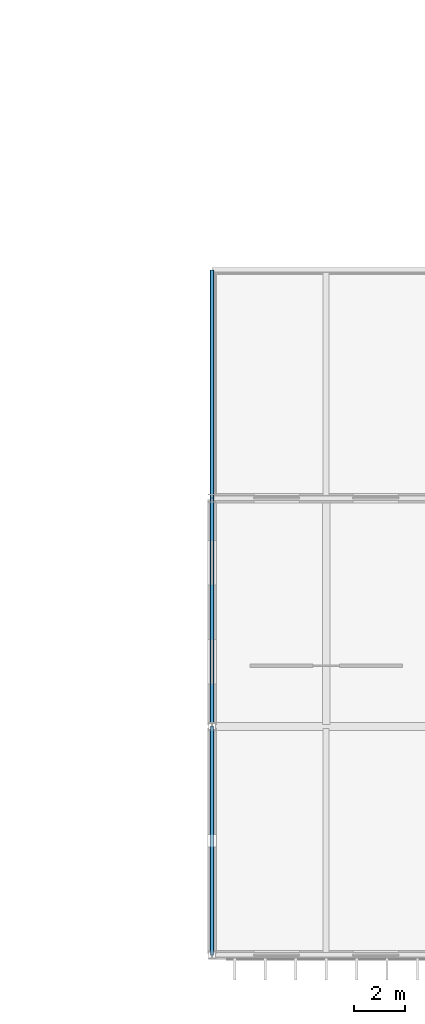
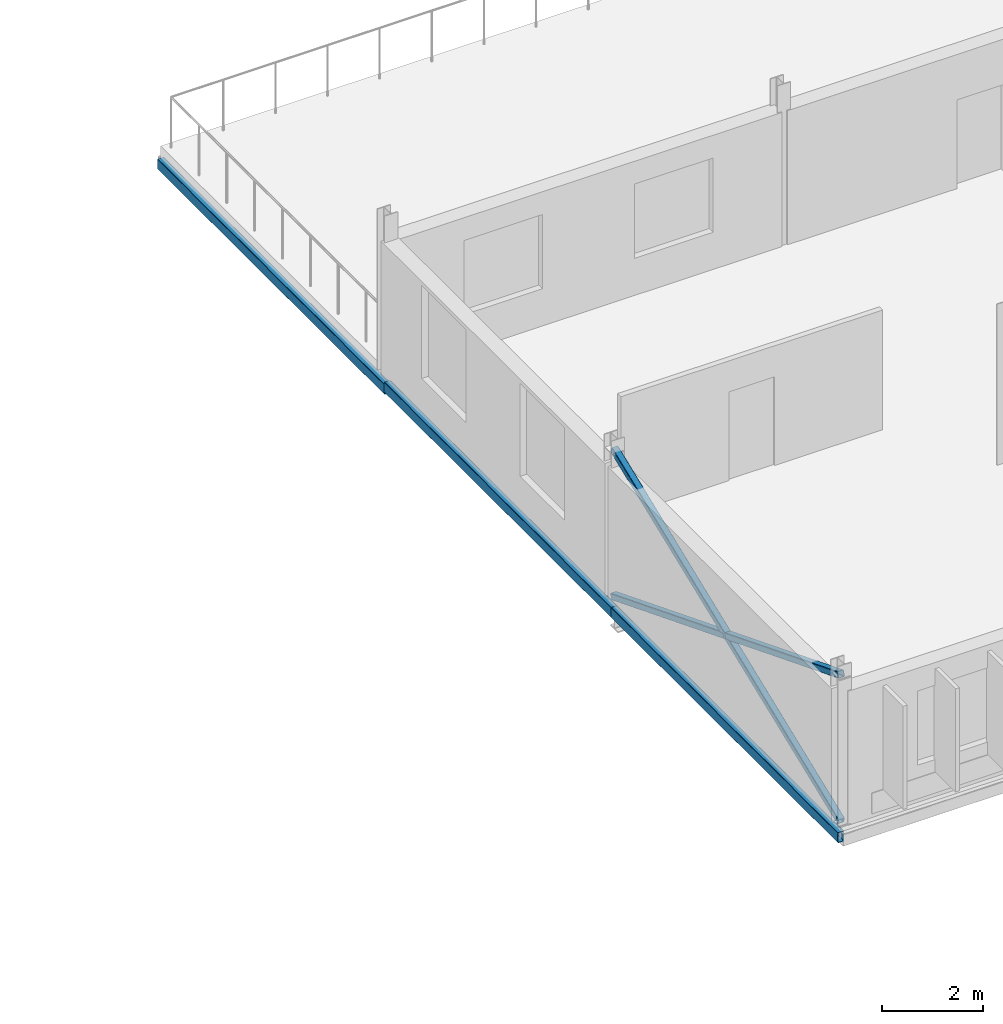
# One storey, part 32 of 123: 3 beams, 3 members.
"""IFC4 building model written with IfcOpenShell, lengths in metres."""

import ifcopenshell
import ifcopenshell.guid

model = None  # the IFC model being written
_history = None  # IfcOwnerHistory: only IFC2X3 demands one
_inside = {}  # id of a spatial element -> (the spatial element, [elements in it])
_under = {}  # id of a project, library or spatial element -> (it, [spatial elements below it])
_declared = {}  # id of a project -> (the project, [libraries it declares])
_typed = {}  # id of a type object -> (the type object, [elements of that type])
_made_of = {}  # id of a material, layer set ... -> (it, [elements and type objects made of it])


def new_model(schema):
    """Start an empty IFC model of exactly this schema.

    Asked for "IFC4X3", IfcOpenShell would pick the latest addendum, in which some entities
    have other attributes; the version numbers below select the first issue.
    IFC2X3 requires an IfcOwnerHistory on every rooted entity: one is made here for all.
    """
    global model, _history
    if schema == "IFC4X3":
        model = ifcopenshell.file(schema_version=(4, 3, 0, 0))
    else:
        model = ifcopenshell.file(schema=schema)
    _inside.clear()
    _under.clear()
    _declared.clear()
    _typed.clear()
    _made_of.clear()
    _history = None
    if model.schema == "IFC2X3":
        org = make("IfcOrganization", Name="unknown")
        user = make(
            "IfcPersonAndOrganization",
            ThePerson=make("IfcPerson", FamilyName="unknown"),
            TheOrganization=org,
        )
        app = make(
            "IfcApplication",
            ApplicationDeveloper=org,
            Version="unknown",
            ApplicationFullName="unknown",
            ApplicationIdentifier="unknown",
        )
        _history = make(
            "IfcOwnerHistory",
            OwningUser=user,
            OwningApplication=app,
            ChangeAction="ADDED",
            CreationDate=0,
        )
    return model


def make(cls, **values):
    """One entity of the class cls with the attributes given. An attribute that is None is left unset."""
    return model.create_entity(
        cls, **{name: value for name, value in values.items() if value is not None}
    )


def rooted(cls, **values):
    """An entity with a GlobalId (a new one), such as an element, a storey or a relation."""
    return make(cls, GlobalId=ifcopenshell.guid.new(), OwnerHistory=_history, **values)


def si_unit(unit_type, name, prefix=None):
    """IfcSIUnit, for example si_unit("LENGTHUNIT", "METRE", prefix="MILLI")."""
    return make("IfcSIUnit", UnitType=unit_type, Prefix=prefix, Name=name)


def assignment(units):
    """IfcUnitAssignment: the units of a project."""
    return None if units is None else make("IfcUnitAssignment", Units=units)


def point(xyz):
    """IfcCartesianPoint."""
    return None if xyz is None else make("IfcCartesianPoint", Coordinates=xyz)


def direction(xyz):
    """IfcDirection."""
    return None if xyz is None else make("IfcDirection", DirectionRatios=xyz)


def frame(location, z_axis=None, x_axis=None):
    """IfcAxis2Placement3D, a coordinate frame: its origin and axes. An axis left out is left unset."""
    return make(
        "IfcAxis2Placement3D",
        Location=point(location),
        Axis=direction(z_axis),
        RefDirection=direction(x_axis),
    )


def frame_2d(location, x_axis=None):
    """IfcAxis2Placement2D, a coordinate frame in the plane: its origin and x axis."""
    return make(
        "IfcAxis2Placement2D", Location=point(location), RefDirection=direction(x_axis)
    )


def origin():
    """The frame at (0, 0, 0) with its axes left unset."""
    return frame((0.0, 0.0, 0.0))


def origin_2d():
    """The frame at (0, 0) in the plane with its x axis left unset."""
    return frame_2d((0.0, 0.0))


def place(relative_to, where):
    """IfcLocalPlacement: puts the frame where relative to a parent placement (None: the world)."""
    return make(
        "IfcLocalPlacement", PlacementRelTo=relative_to, RelativePlacement=where
    )


def context(
    kind, dimensions, precision=None, world=None, true_north=None, identifier=None
):
    """IfcGeometricRepresentationContext, for example the 3D "Model" context."""
    return make(
        "IfcGeometricRepresentationContext",
        ContextIdentifier=identifier,
        ContextType=kind,
        CoordinateSpaceDimension=dimensions,
        Precision=precision,
        WorldCoordinateSystem=world,
        TrueNorth=true_north,
    )


def subcontext(parent, identifier, kind, view, scale=None):
    """IfcGeometricRepresentationSubContext, for example "Body" below "Model"."""
    return make(
        "IfcGeometricRepresentationSubContext",
        ContextIdentifier=identifier,
        ContextType=kind,
        ParentContext=parent,
        TargetScale=scale,
        TargetView=view,
    )


def project(units=None, contexts=None):
    """IfcProject with its units and contexts."""
    return rooted(
        "IfcProject",
        Name="project",
        RepresentationContexts=contexts,
        UnitsInContext=assignment(units),
    )


def spatial(cls, under=None, at=None, **own):
    """A site, building, storey or space (cls), placed at a placement, below another one or the project."""
    s = rooted(cls, ObjectPlacement=at, **own)
    if under is not None:
        _under.setdefault(under.id(), (under, []))[1].append(s)
    return s


def profile(cls, at=None, kind="AREA", **sizes):
    """A parametric profile (cls). Its sizes go by their IFC names, for example OverallWidth=200.0."""
    return make(cls, ProfileType=kind, Position=at, **sizes)


def hollow_rectangle(**sizes):
    """IfcRectangleHollowProfileDef."""
    return profile("IfcRectangleHollowProfileDef", **sizes)


def extrude(swept, where, along, depth):
    """IfcExtrudedAreaSolid: the profile swept, set in the frame where, extruded along a direction by depth."""
    return make(
        "IfcExtrudedAreaSolid",
        SweptArea=swept,
        Position=where,
        ExtrudedDirection=direction(along),
        Depth=depth,
    )


def shape(context_of_items, identifier, shape_type, items):
    """IfcShapeRepresentation: the items that make up one representation, for example the "Body"."""
    return make(
        "IfcShapeRepresentation",
        ContextOfItems=context_of_items,
        RepresentationIdentifier=identifier,
        RepresentationType=shape_type,
        Items=items,
    )


def material(Name=None, Category=None):
    """IfcMaterial."""
    return make("IfcMaterial", Name=Name, Category=Category)


def material_profile(
    of_material, cross_section, Name=None, Category=None, Priority=None
):
    """IfcMaterialProfile: a cross section and its material."""
    return make(
        "IfcMaterialProfile",
        Name=Name,
        Material=of_material,
        Profile=cross_section,
        Priority=Priority,
        Category=Category,
    )


def profile_set(profiles, Name=None, composite=None):
    """IfcMaterialProfileSet."""
    return make(
        "IfcMaterialProfileSet",
        Name=Name,
        MaterialProfiles=profiles,
        CompositeProfile=composite,
    )


def made_of(thing, what):
    """Note that an element or type object is made of a material, layer set ...; save() writes the relation."""
    if what is not None:
        _made_of.setdefault(what.id(), (what, []))[1].append(thing)
    return thing


def type_object(cls, material=None, **own):
    """A type object (cls), such as IfcWallType, which elements share."""
    return made_of(rooted(cls, **own), material)


def element(
    cls,
    number,
    at=None,
    inside=None,
    cuts=None,
    type_object=None,
    material=None,
    context=None,
    identifier="Body",
    shape_type=None,
    held_by="IfcProductDefinitionShape",
    body=None,
    shapes=None,
    **own,
):
    """One element of the class cls, such as IfcWall. Its Tag is "e" and its number.

    at: its placement. inside: the storey or other place that contains it. cuts: it is an
    opening in that element (IfcRelVoidsElement). A single representation is given by context,
    identifier, shape_type and body (its items); several are given by shapes. held_by: the class
    of the entity that holds the representations. save() writes the other relations.
    """
    e = rooted(cls, Tag="e%d" % number, ObjectPlacement=at, **own)
    if body is not None:
        shapes = [shape(context, identifier, shape_type, body)]
    if shapes is not None:
        e.Representation = make(held_by, Representations=shapes)
    if inside is not None:
        _inside.setdefault(inside.id(), (inside, []))[1].append(e)
    if cuts is not None:
        rooted(
            "IfcRelVoidsElement", RelatingBuildingElement=cuts, RelatedOpeningElement=e
        )
    if type_object is not None:
        _typed.setdefault(type_object.id(), (type_object, []))[1].append(e)
    return made_of(e, material)


def aggregate(whole, parts):
    """IfcRelAggregates: a whole, such as a stair, and the parts it consists of."""
    return rooted("IfcRelAggregates", RelatingObject=whole, RelatedObjects=parts)


def save(model, path):
    """Write the relations noted so far, then the file.

    IfcRelAggregates (storeys below a building ...), IfcRelContainedInSpatialStructure (elements
    in a storey), IfcRelDefinesByType, IfcRelAssociatesMaterial and IfcRelDeclares: one each for
    every whole, place, type object, material and project.
    """
    for whole, parts in _under.values():
        aggregate(whole, parts)
    for where, things in _inside.values():
        rooted(
            "IfcRelContainedInSpatialStructure",
            RelatedElements=things,
            RelatingStructure=where,
        )
    for kind, things in _typed.values():
        rooted("IfcRelDefinesByType", RelatedObjects=things, RelatingType=kind)
    for what, things in _made_of.values():
        rooted("IfcRelAssociatesMaterial", RelatedObjects=things, RelatingMaterial=what)
    for by, libraries in _declared.values():
        rooted("IfcRelDeclares", RelatingContext=by, RelatedDefinitions=libraries)
    model.write(path)


model = new_model("IFC4")

# Units and contexts
model_context = context("Model", 3, precision=1e-05, world=origin(), true_north=direction((0.0, 1.0)))
body_context = subcontext(model_context, "Body", "Model", "MODEL_VIEW")
ifc_project = project(units=[si_unit("LENGTHUNIT", "METRE"), si_unit("AREAUNIT", "SQUARE_METRE"), si_unit("VOLUMEUNIT", "CUBIC_METRE"), si_unit("PLANEANGLEUNIT", "RADIAN"), si_unit("MASSUNIT", "GRAM", prefix="KILO")], contexts=[model_context])

# Site, building, storey
site_placement = place(None, origin())
site = spatial("IfcSite", under=ifc_project, at=site_placement, CompositionType="ELEMENT")
building_placement = place(site_placement, origin())
building = spatial("IfcBuilding", under=site, at=building_placement, Name="Kildeholm Park Wholesale Market", CompositionType="ELEMENT")
storey_placement = place(building_placement, frame((0.0, 0.0, 9.60009765625)))
storey = spatial("IfcBuildingStorey", under=building, at=storey_placement, Name="L02", CompositionType="ELEMENT", Elevation=9.60009765625)

# Beams
ifc_material = material(Name="Steel S355", Category="steel")
ifc_material_profile_1 = material_profile(ifc_material, hollow_rectangle(XDim=0.14990234375, YDim=0.25, WallThickness=0.010009765625, InnerFilletRadius=0.010009765625, OuterFilletRadius=0.02001953125, at=origin_2d()), Name="RHS 250x150x10")
ifc_profile_set_1 = profile_set([ifc_material_profile_1], Name="Steel S355")
beam_type = type_object("IfcBeamType", Name="Beam SP-02 RHS 250x150x10", PredefinedType="SPANDREL", material=ifc_profile_set_1)
for number, where, z_axis, x_axis, name in (
    (1, (126.0, 18.0, -0.4150390625), (0.0, 1.0, 0.0), (-1.0, 0.0, 0.0), "Beam BM-V5E-L02-Y-126-018 BM-1602"),
    (2, (126.0, 0.0, -0.364990234375), (0.0, 1.0, 0.0), (-1.0, 0.0, 0.0), "Beam BM-V5E-L02-Y-126-000 BM-1635"),
    (3, (126.0, 9.0, -0.364990234375), (0.0, 1.0, 0.0), (-1.0, 0.0, 0.0), "Beam BM-V5E-L02-Y-126-009 BM-1638"),
):
    element("IfcBeam", number, at=place(storey_placement, frame(where, z_axis=z_axis, x_axis=x_axis)), inside=storey, type_object=beam_type, Name=name, PredefinedType="SPANDREL", context=body_context, shape_type="SweptSolid", body=[
        extrude(hollow_rectangle(XDim=0.14990234375, YDim=0.25, WallThickness=0.010009765625, InnerFilletRadius=0.010009765625, OuterFilletRadius=0.02001953125, at=origin_2d()), origin(), (0.0, 0.0, 1.0), 9.0),
    ])

# Members
ifc_material_profile_2 = material_profile(ifc_material, hollow_rectangle(XDim=0.14990234375, YDim=0.14990234375, WallThickness=0.010009765625, InnerFilletRadius=0.010009765625, OuterFilletRadius=0.02001953125, at=origin_2d()), Name="SHS 150x150x10")
ifc_profile_set_2 = profile_set([ifc_material_profile_2], Name="Steel S355")
member_type = type_object("IfcMemberType", Name="Member TB-03 SHS 150x150x10", PredefinedType="BRACE", material=ifc_profile_set_2)
member_placement = place(storey_placement, frame((126.0, 0.0, 0.02001953125), z_axis=(0.0, 0.929901538652, 0.367808548586), x_axis=(-1.0, 0.0, 0.0)))
element("IfcMember", 4, at=member_placement, inside=storey, type_object=member_type, Name="Member BR-V5E-L02-1 MEM-0372", PredefinedType="BRACE", context=body_context, shape_type="SweptSolid", body=[
    extrude(hollow_rectangle(XDim=0.14990234375, YDim=0.14990234375, WallThickness=0.010009765625, InnerFilletRadius=0.010009765625, OuterFilletRadius=0.02001953125, at=origin_2d()), origin(), (0.0, 0.0, 1.0), 9.678466796875),
])
for number, where, z_axis, x_axis, name in (
    (5, (126.0, 9.0, 0.02001953125), (0.0, -0.929908127292, 0.367791890608), (1.0, 0.0, 0.0), "Member BR-V5E-L02-2A MEM-0373"),
    (6, (126.0, 4.462890625, 1.814697265625), (0.0, -0.929908127292, 0.367791890608), (1.0, 0.0, 0.0), "Member BR-V5E-L02-2B MEM-0374"),
):
    element("IfcMember", number, at=place(storey_placement, frame(where, z_axis=z_axis, x_axis=x_axis)), inside=storey, type_object=member_type, Name=name, PredefinedType="BRACE", context=body_context, shape_type="SweptSolid", body=[
        extrude(hollow_rectangle(XDim=0.14990234375, YDim=0.14990234375, WallThickness=0.010009765625, InnerFilletRadius=0.010009765625, OuterFilletRadius=0.02001953125, at=origin_2d()), origin(), (0.0, 0.0, 1.0), 4.79931640625),
    ])

save(model, "model.ifc")
